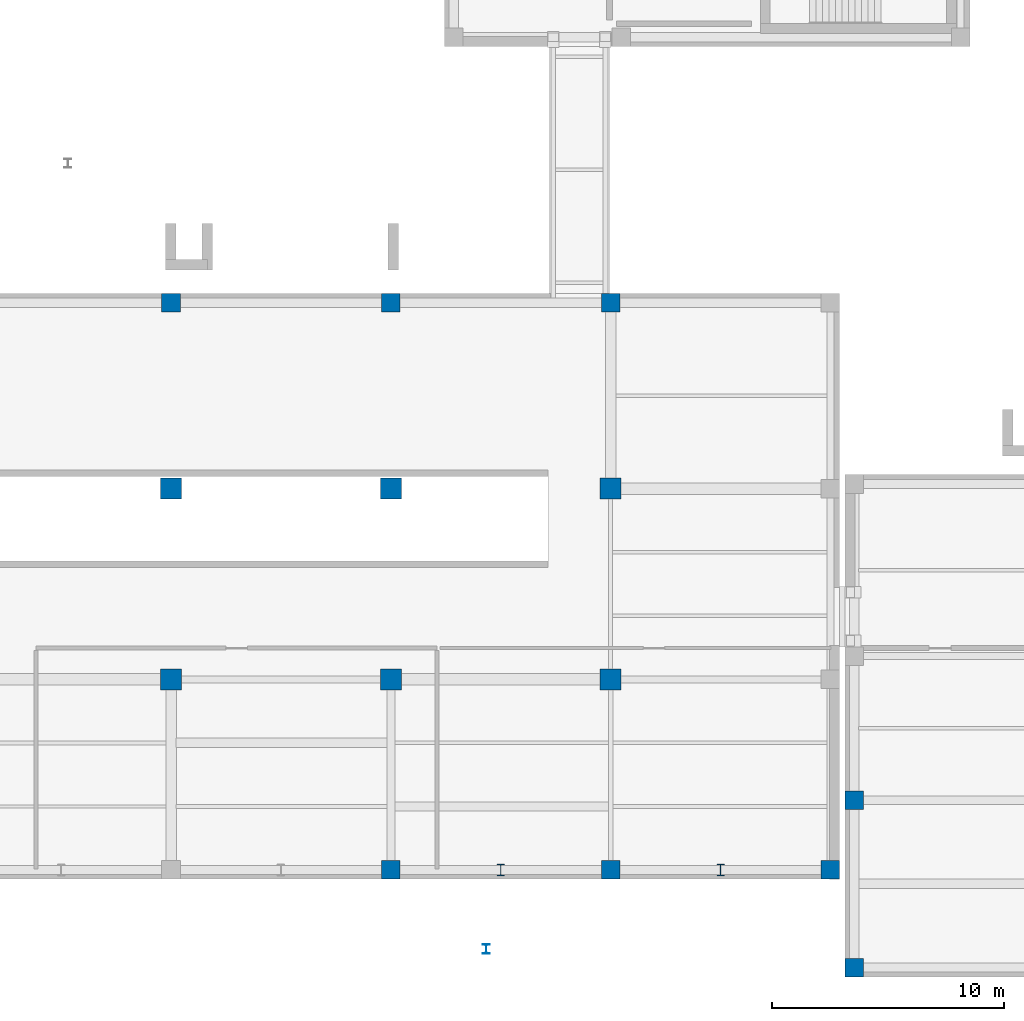
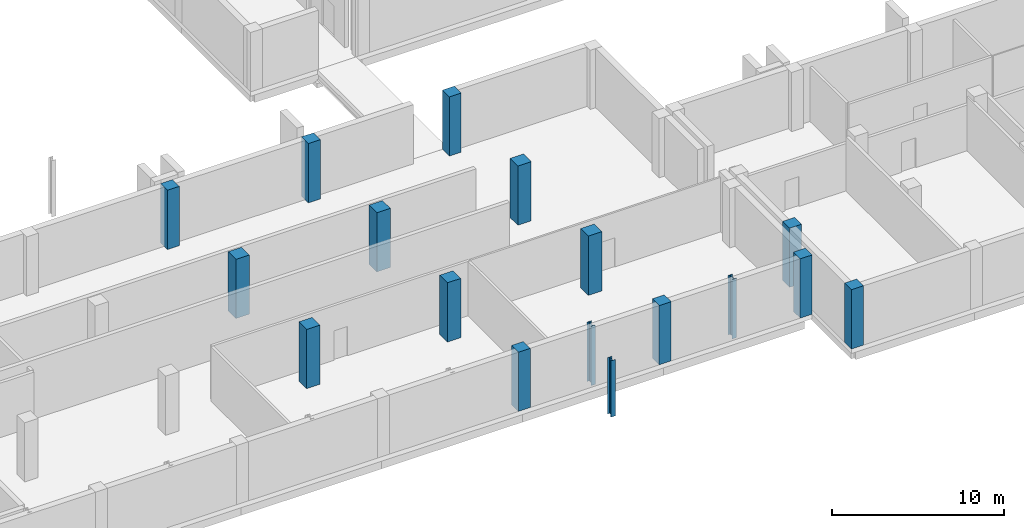
# One storey, part 5 of 31: 17 columns.
"""IFC4 building model written with IfcOpenShell, lengths in metres."""

from ifc_helpers import new_model, si_unit, direction, frame, origin, origin_2d, place, context, subcontext, project, spatial, rectangle, i_section, extrude, material, material_profile, profile_set, type_object, element, save


model = new_model("IFC4")

# Units and contexts
model_context = context("Model", 3, precision=1e-05, world=origin(), true_north=direction((0.0, 1.0)))
body_context = subcontext(model_context, "Body", "Model", "MODEL_VIEW")
ifc_project = project(units=[si_unit("LENGTHUNIT", "METRE"), si_unit("AREAUNIT", "SQUARE_METRE"), si_unit("VOLUMEUNIT", "CUBIC_METRE"), si_unit("PLANEANGLEUNIT", "RADIAN"), si_unit("MASSUNIT", "GRAM", prefix="KILO")], contexts=[model_context])

# Site, building, storey
site_placement = place(None, origin())
site = spatial("IfcSite", under=ifc_project, at=site_placement, CompositionType="ELEMENT")
building_placement = place(site_placement, origin())
building = spatial("IfcBuilding", under=site, at=building_placement, Name="Qalavern Law Courts", CompositionType="ELEMENT")
storey_placement = place(building_placement, frame((0.0, 0.0, -4.199951171875)))
storey = spatial("IfcBuildingStorey", under=building, at=storey_placement, Name="B1", CompositionType="ELEMENT", Elevation=-4.199951171875)

# Columns
ifc_material_1 = material(Name="Steel S355", Category="steel")
ifc_material_profile_1 = material_profile(ifc_material_1, i_section(OverallWidth=0.300048828125, OverallDepth=0.389892578125, WebThickness=0.010986328125, FlangeThickness=0.01904296875, FilletRadius=0.027099609375, at=origin_2d()), Name="HEA 400")
ifc_profile_set_1 = profile_set([ifc_material_profile_1], Name="Steel S355")
column_type_1 = type_object("IfcColumnType", Name="STR-COL-HEA400", PredefinedType="COLUMN", material=ifc_profile_set_1)
column_placement = place(storey_placement, frame((86.0, 2.199951171875, 0.0), z_axis=(0.0, 0.0, 1.0), x_axis=(1.0, 0.0, 0.0)))
element("IfcColumn", 1, at=column_placement, inside=storey, type_object=column_type_1, Name="Plaza apron substructure column 05 B1", PredefinedType="COLUMN", context=body_context, shape_type="SweptSolid", body=[
    extrude(i_section(OverallWidth=0.300048828125, OverallDepth=0.389892578125, WebThickness=0.010986328125, FlangeThickness=0.01904296875, FilletRadius=0.027099609375, at=origin_2d()), origin(), (0.0, 0.0, 1.0), 3.994873046875),
])
ifc_material_profile_2 = material_profile(ifc_material_1, i_section(OverallWidth=0.300048828125, OverallDepth=0.5, WebThickness=0.014404296875, FlangeThickness=0.028076171875, FilletRadius=0.027099609375, at=origin_2d()), Name="HEB 500")
ifc_profile_set_2 = profile_set([ifc_material_profile_2], Name="Steel S355")
column_type_2 = type_object("IfcColumnType", Name="STR-COL-HEB500", PredefinedType="COLUMN", material=ifc_profile_set_2)
for number, where, z_axis, x_axis, name in (
    (2, (86.618896484375, 5.60009765625, 0.0), (0.0, 0.0, 1.0), (1.0, 0.0, 0.0), "Civic colonnade pilaster 06 B1"),
    (3, (96.072998046875, 5.60009765625, 0.0), (0.0, 0.0, 1.0), (1.0, 0.0, 0.0), "Civic colonnade pilaster 07 B1"),
):
    element("IfcColumn", number, at=place(storey_placement, frame(where, z_axis=z_axis, x_axis=x_axis)), inside=storey, type_object=column_type_2, Name=name, PredefinedType="COLUMN", context=body_context, shape_type="SweptSolid", body=[
        extrude(i_section(OverallWidth=0.300048828125, OverallDepth=0.5, WebThickness=0.014404296875, FlangeThickness=0.028076171875, FilletRadius=0.027099609375, at=origin_2d()), origin(), (0.0, 0.0, 1.0), 4.199951171875),
    ])
ifc_material_2 = material(Name="Concrete C45/55", Category="concrete")
ifc_material_profile_3 = material_profile(ifc_material_2, rectangle(XDim=0.800048828125, YDim=0.800048828125, at=origin_2d()), Name="RC 800x800")
ifc_profile_set_3 = profile_set([ifc_material_profile_3], Name="Concrete C45/55")
column_type_3 = type_object("IfcColumnType", Name="STR-COL-RC800E", PredefinedType="COLUMN", material=ifc_profile_set_3)
for number, where, z_axis, x_axis, name in (
    (4, (72.43701171875, 30.0, 0.0), (0.0, 0.0, 1.0), (1.0, 0.0, 0.0), "V2 column 5-4 B1"),
    (5, (81.891357421875, 5.60009765625, 0.0), (0.0, 0.0, 1.0), (1.0, 0.0, 0.0), "V2 column 6-1 B1"),
    (6, (81.891357421875, 30.0, 0.0), (0.0, 0.0, 1.0), (1.0, 0.0, 0.0), "V2 column 6-4 B1"),
    (7, (91.345703125, 5.60009765625, 0.0), (0.0, 0.0, 1.0), (1.0, 0.0, 0.0), "V2 column 7-1 B1"),
    (8, (91.345703125, 30.0, 0.0), (0.0, 0.0, 1.0), (1.0, 0.0, 0.0), "V2 column 7-4 B1"),
    (9, (100.800048828125, 5.60009765625, 0.0), (0.0, 0.0, 1.0), (1.0, 0.0, 0.0), "V2 column 8-1 B1"),
    (10, (101.820068359375, 1.39990234375, 0.0), (0.0, 0.0, 1.0), (1.0, 0.0, 0.0), "V6 column 1-1 B1"),
    (11, (101.820068359375, 8.60009765625, 0.0), (0.0, 0.0, 1.0), (1.0, 0.0, 0.0), "V6 column 1-2 B1"),
):
    element("IfcColumn", number, at=place(storey_placement, frame(where, z_axis=z_axis, x_axis=x_axis)), inside=storey, type_object=column_type_3, Name=name, PredefinedType="COLUMN", context=body_context, shape_type="SweptSolid", body=[
        extrude(rectangle(XDim=0.800048828125, YDim=0.800048828125, at=origin_2d()), origin(), (0.0, 0.0, 1.0), 4.199951171875),
    ])
ifc_material_profile_4 = material_profile(ifc_material_2, rectangle(XDim=0.89990234375, YDim=0.89990234375, at=origin_2d()), Name="RC 900x900")
ifc_profile_set_4 = profile_set([ifc_material_profile_4], Name="Concrete C45/55")
column_type_4 = type_object("IfcColumnType", Name="STR-COL-RC900", PredefinedType="COLUMN", material=ifc_profile_set_4)
for number, where, z_axis, x_axis, name in (
    (12, (72.43701171875, 13.800048828125, 0.0), (0.0, 0.0, 1.0), (1.0, 0.0, 0.0), "V2 column 5-2 B1"),
    (13, (72.43701171875, 22.0, 0.0), (0.0, 0.0, 1.0), (1.0, 0.0, 0.0), "V2 column 5-3 B1"),
    (14, (81.891357421875, 13.800048828125, 0.0), (0.0, 0.0, 1.0), (1.0, 0.0, 0.0), "V2 column 6-2 B1"),
    (15, (81.891357421875, 22.0, 0.0), (0.0, 0.0, 1.0), (1.0, 0.0, 0.0), "V2 column 6-3 B1"),
    (16, (91.345703125, 13.800048828125, 0.0), (0.0, 0.0, 1.0), (1.0, 0.0, 0.0), "V2 column 7-2 B1"),
    (17, (91.345703125, 22.0, 0.0), (0.0, 0.0, 1.0), (1.0, 0.0, 0.0), "V2 column 7-3 B1"),
):
    element("IfcColumn", number, at=place(storey_placement, frame(where, z_axis=z_axis, x_axis=x_axis)), inside=storey, type_object=column_type_4, Name=name, PredefinedType="COLUMN", context=body_context, shape_type="SweptSolid", body=[
        extrude(rectangle(XDim=0.89990234375, YDim=0.89990234375, at=origin_2d()), origin(), (0.0, 0.0, 1.0), 4.199951171875),
    ])

save(model, "model.ifc")
